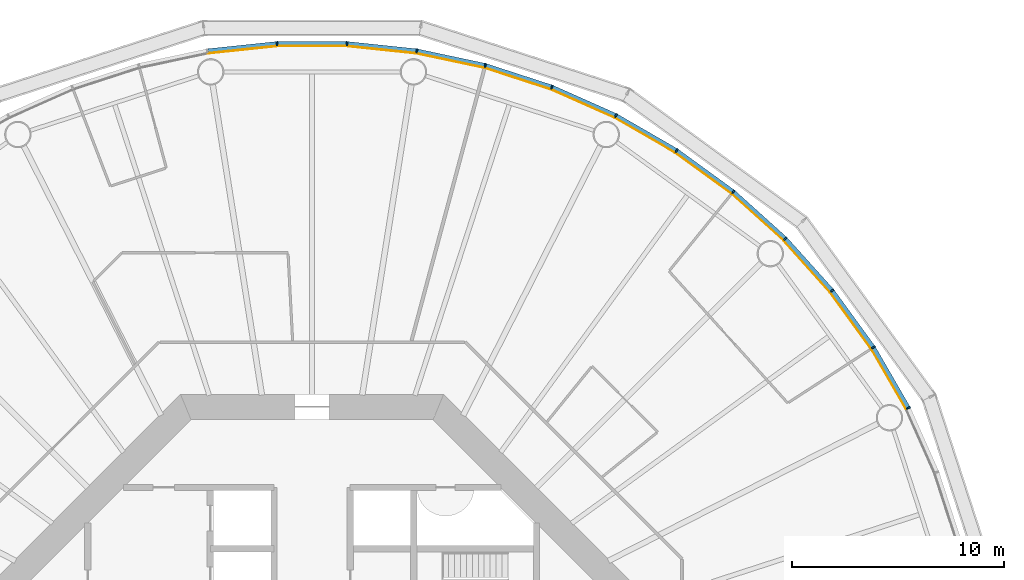
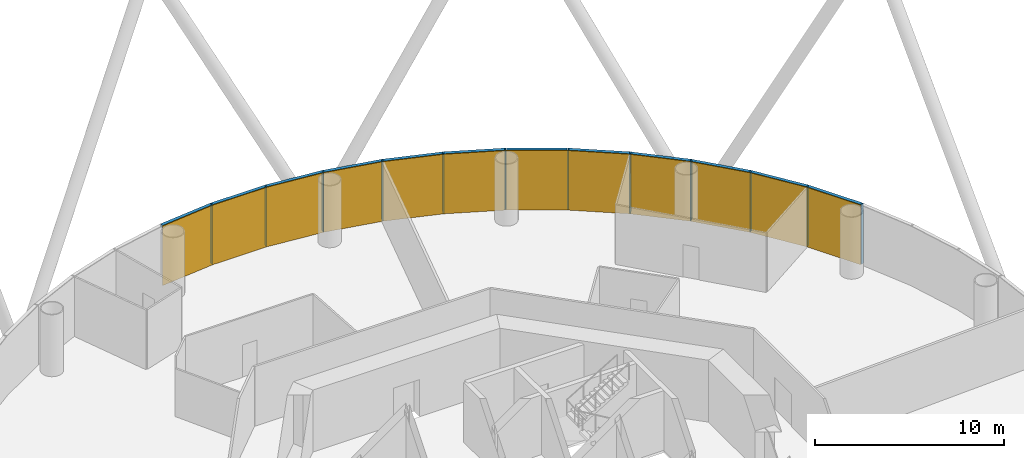
# One storey, part 12 of 13: 24 members, 4 curtain walls.
"""IFC4 building model written with IfcOpenShell, lengths in metres."""

from ifc_helpers import new_model, si_unit, direction, frame, origin, origin_2d, place, context, subcontext, project, spatial, polyline, rectangle, outline, extrude, material, layer, layer_set, material_profile, profile_set, type_object, element, aggregate, save


model = new_model("IFC4")

# Units and contexts
model_context = context("Model", 3, precision=1e-05, world=origin(), true_north=direction((0.0, 1.0)))
body_context = subcontext(model_context, "Body", "Model", "MODEL_VIEW")
ifc_project = project(units=[si_unit("LENGTHUNIT", "METRE"), si_unit("AREAUNIT", "SQUARE_METRE"), si_unit("VOLUMEUNIT", "CUBIC_METRE"), si_unit("PLANEANGLEUNIT", "RADIAN"), si_unit("MASSUNIT", "GRAM", prefix="KILO")], contexts=[model_context])

# Member
ifc_material_1 = material(Name="Anodised aluminium", Category="aluminium")
ifc_material_profile_1 = material_profile(ifc_material_1, rectangle(XDim=0.070068359375, YDim=0.199951171875, at=origin_2d()), Name="Mullion 70 x 200 mm anodised aluminium")
ifc_profile_set_1 = profile_set([ifc_material_profile_1], Name="Anodised aluminium")
member_type_1 = type_object("IfcMemberType", Name="Mullion 70 x 200 mm anodised aluminium", PredefinedType="MULLION", material=ifc_profile_set_1)
site_placement = place(None, origin())
building_placement = place(site_placement, origin())
storey_placement = place(building_placement, frame((0.0, 0.0, 96.0)))
member_1_placement = place(storey_placement, frame((118.15576171875, 94.34619140625, 0.0), z_axis=(0.0, 0.0, 1.0), x_axis=(-0.45399049974, 0.891006524188, 0.0)))
member_1 = element("IfcMember", 1, at=member_1_placement, type_object=member_type_1, Name="MULLION L21-03", PredefinedType="MULLION", context=body_context, shape_type="SweptSolid", body=[
    extrude(rectangle(XDim=0.070068359375, YDim=0.199951171875, at=origin_2d()), origin(), (0.0, 0.0, 1.0), 3.85009765625),
])

member_2_placement = place(storey_placement, frame((116.501953125, 97.210693359375, 0.0), z_axis=(0.0, 0.0, 1.0), x_axis=(-0.544639035015, 0.838670567945, 0.0)))
member_2 = element("IfcMember", 2, at=member_2_placement, type_object=member_type_1, Name="MULLION L21-04", PredefinedType="MULLION", context=body_context, shape_type="SweptSolid", body=[
    extrude(rectangle(XDim=0.070068359375, YDim=0.199951171875, at=origin_2d()), origin(), (0.0, 0.0, 1.0), 3.85009765625),
])

member_3_placement = place(storey_placement, frame((114.557861328125, 99.886474609375, 0.0), z_axis=(0.0, 0.0, 1.0), x_axis=(-0.62932039105, 0.777145961457, 0.0)))
member_3 = element("IfcMember", 3, at=member_3_placement, type_object=member_type_1, Name="MULLION L21-05", PredefinedType="MULLION", context=body_context, shape_type="SweptSolid", body=[
    extrude(rectangle(XDim=0.070068359375, YDim=0.199951171875, at=origin_2d()), origin(), (0.0, 0.0, 1.0), 3.85009765625),
])

member_4_placement = place(storey_placement, frame((112.344482421875, 102.344482421875, 0.0), z_axis=(0.0, 0.0, 1.0), x_axis=(-0.707106781187, 0.707106781187, 0.0)))
member_4 = element("IfcMember", 4, at=member_4_placement, type_object=member_type_1, Name="MULLION L21-06", PredefinedType="MULLION", context=body_context, shape_type="SweptSolid", body=[
    extrude(rectangle(XDim=0.070068359375, YDim=0.199951171875, at=origin_2d()), origin(), (0.0, 0.0, 1.0), 3.85009765625),
])

member_5_placement = place(storey_placement, frame((109.886474609375, 104.557861328125, 0.0), z_axis=(0.0, 0.0, 1.0), x_axis=(-0.777145961457, 0.62932039105, 0.0)))
member_5 = element("IfcMember", 5, at=member_5_placement, type_object=member_type_1, Name="MULLION L21-07", PredefinedType="MULLION", context=body_context, shape_type="SweptSolid", body=[
    extrude(rectangle(XDim=0.070068359375, YDim=0.199951171875, at=origin_2d()), origin(), (0.0, 0.0, 1.0), 3.85009765625),
])

member_6_placement = place(storey_placement, frame((107.210693359375, 106.501953125, 0.0), z_axis=(0.0, 0.0, 1.0), x_axis=(-0.838670567945, 0.544639035015, 0.0)))
member_6 = element("IfcMember", 6, at=member_6_placement, type_object=member_type_1, Name="MULLION L21-08", PredefinedType="MULLION", context=body_context, shape_type="SweptSolid", body=[
    extrude(rectangle(XDim=0.070068359375, YDim=0.199951171875, at=origin_2d()), origin(), (0.0, 0.0, 1.0), 3.85009765625),
])

member_7_placement = place(storey_placement, frame((104.34619140625, 108.15576171875, 0.0), z_axis=(0.0, 0.0, 1.0), x_axis=(-0.891006524188, 0.45399049974, 0.0)))
member_7 = element("IfcMember", 7, at=member_7_placement, type_object=member_type_1, Name="MULLION L21-09", PredefinedType="MULLION", context=body_context, shape_type="SweptSolid", body=[
    extrude(rectangle(XDim=0.070068359375, YDim=0.199951171875, at=origin_2d()), origin(), (0.0, 0.0, 1.0), 3.85009765625),
])

member_8_placement = place(storey_placement, frame((101.324462890625, 109.501220703125, 0.0), z_axis=(0.0, 0.0, 1.0), x_axis=(-0.933580426497, 0.358367949545, 0.0)))
member_8 = element("IfcMember", 8, at=member_8_placement, type_object=member_type_1, Name="MULLION L21-10", PredefinedType="MULLION", context=body_context, shape_type="SweptSolid", body=[
    extrude(rectangle(XDim=0.070068359375, YDim=0.199951171875, at=origin_2d()), origin(), (0.0, 0.0, 1.0), 3.85009765625),
])

member_9_placement = place(storey_placement, frame((98.1787109375, 110.523193359375, 0.0), z_axis=(0.0, 0.0, 1.0), x_axis=(-0.965925826289, 0.258819045103, 0.0)))
member_9 = element("IfcMember", 9, at=member_9_placement, type_object=member_type_1, Name="MULLION L21-11", PredefinedType="MULLION", context=body_context, shape_type="SweptSolid", body=[
    extrude(rectangle(XDim=0.070068359375, YDim=0.199951171875, at=origin_2d()), origin(), (0.0, 0.0, 1.0), 3.85009765625),
])

member_10_placement = place(storey_placement, frame((94.943359375, 111.2109375, 0.0), z_axis=(0.0, 0.0, 1.0), x_axis=(-0.987688340595, 0.15643446504, 0.0)))
member_10 = element("IfcMember", 10, at=member_10_placement, type_object=member_type_1, Name="MULLION L21-12", PredefinedType="MULLION", context=body_context, shape_type="SweptSolid", body=[
    extrude(rectangle(XDim=0.070068359375, YDim=0.199951171875, at=origin_2d()), origin(), (0.0, 0.0, 1.0), 3.85009765625),
])

member_11_placement = place(storey_placement, frame((91.65380859375, 111.556640625, 0.0), z_axis=(0.0, 0.0, 1.0), x_axis=(-0.998629534755, 0.052335956243, 0.0)))
member_11 = element("IfcMember", 11, at=member_11_placement, type_object=member_type_1, Name="MULLION L21-13", PredefinedType="MULLION", context=body_context, shape_type="SweptSolid", body=[
    extrude(rectangle(XDim=0.070068359375, YDim=0.199951171875, at=origin_2d()), origin(), (0.0, 0.0, 1.0), 3.85009765625),
])

member_12_placement = place(storey_placement, frame((88.34619140625, 111.556640625, 0.0), z_axis=(0.0, 0.0, 1.0), x_axis=(-0.998629534755, -0.052335956243, 0.0)))
member_12 = element("IfcMember", 12, at=member_12_placement, type_object=member_type_1, Name="MULLION L21-14", PredefinedType="MULLION", context=body_context, shape_type="SweptSolid", body=[
    extrude(rectangle(XDim=0.070068359375, YDim=0.199951171875, at=origin_2d()), origin(), (0.0, 0.0, 1.0), 3.85009765625),
])

ifc_material_2 = material(Name="Anodised aluminium", Category="aluminium")
ifc_material_profile_2 = material_profile(ifc_material_2, rectangle(XDim=0.199951171875, YDim=0.18994140625, at=origin_2d()), Name="Transom 190 x 200 mm anodised aluminium")
ifc_profile_set_2 = profile_set([ifc_material_profile_2], Name="Anodised aluminium")
member_type_2 = type_object("IfcMemberType", Name="Transom 190 x 200 mm anodised aluminium", PredefinedType="USERDEFINED", material=ifc_profile_set_2)
member_13_placement = place(storey_placement, frame((118.1357421875, 94.381103515625, 3.7548828125), z_axis=(-0.500004055213, 0.866023062494, 0.0), x_axis=(-0.866023062494, -0.500004055213, 0.0)))
member_13 = element("IfcMember", 13, at=member_13_placement, type_object=member_type_2, Name="TRANSOM L21-03", ObjectType="TRANSOM", PredefinedType="USERDEFINED", context=body_context, shape_type="SweptSolid", body=[
    extrude(rectangle(XDim=0.199951171875, YDim=0.18994140625, at=origin_2d()), origin(), (0.0, 0.0, 1.0), 3.22705078125),
])

member_14_placement = place(storey_placement, frame((116.478515625, 97.2431640625, 3.7548828125), z_axis=(-0.587802790201, 0.809004252048, 0.0), x_axis=(-0.809004252048, -0.587802790201, 0.0)))
member_14 = element("IfcMember", 14, at=member_14_placement, type_object=member_type_2, Name="TRANSOM L21-04", ObjectType="TRANSOM", PredefinedType="USERDEFINED", context=body_context, shape_type="SweptSolid", body=[
    extrude(rectangle(XDim=0.199951171875, YDim=0.18994140625, at=origin_2d()), origin(), (0.0, 0.0, 1.0), 3.227294921875),
])

member_15_placement = place(storey_placement, frame((114.531005859375, 99.91650390625, 3.7548828125), z_axis=(-0.669144438484, 0.743132370743, 0.0), x_axis=(-0.743132370743, -0.669144438484, 0.0)))
member_15 = element("IfcMember", 15, at=member_15_placement, type_object=member_type_2, Name="TRANSOM L21-05", ObjectType="TRANSOM", PredefinedType="USERDEFINED", context=body_context, shape_type="SweptSolid", body=[
    extrude(rectangle(XDim=0.199951171875, YDim=0.18994140625, at=origin_2d()), origin(), (0.0, 0.0, 1.0), 3.22705078125),
])

member_16_placement = place(storey_placement, frame((112.314697265625, 102.37158203125, 3.7548828125), z_axis=(-0.743132370743, 0.669144438484, 0.0), x_axis=(-0.669144438484, -0.743132370743, 0.0)))
member_16 = element("IfcMember", 16, at=member_16_placement, type_object=member_type_2, Name="TRANSOM L21-06", ObjectType="TRANSOM", PredefinedType="USERDEFINED", context=body_context, shape_type="SweptSolid", body=[
    extrude(rectangle(XDim=0.199951171875, YDim=0.18994140625, at=origin_2d()), origin(), (0.0, 0.0, 1.0), 3.22705078125),
])

member_17_placement = place(storey_placement, frame((109.85400390625, 104.58154296875, 3.7548828125), z_axis=(-0.809004252048, 0.587802790201, 0.0), x_axis=(-0.587802790201, -0.809004252048, 0.0)))
member_17 = element("IfcMember", 17, at=member_17_placement, type_object=member_type_2, Name="TRANSOM L21-07", ObjectType="TRANSOM", PredefinedType="USERDEFINED", context=body_context, shape_type="SweptSolid", body=[
    extrude(rectangle(XDim=0.199951171875, YDim=0.18994140625, at=origin_2d()), origin(), (0.0, 0.0, 1.0), 3.227294921875),
])

member_18_placement = place(storey_placement, frame((107.17578125, 106.522216796875, 3.7548828125), z_axis=(-0.866023062494, 0.500004055213, 0.0), x_axis=(-0.500004055213, -0.866023062494, 0.0)))
member_18 = element("IfcMember", 18, at=member_18_placement, type_object=member_type_2, Name="TRANSOM L21-08", ObjectType="TRANSOM", PredefinedType="USERDEFINED", context=body_context, shape_type="SweptSolid", body=[
    extrude(rectangle(XDim=0.199951171875, YDim=0.18994140625, at=origin_2d()), origin(), (0.0, 0.0, 1.0), 3.22705078125),
])

member_19_placement = place(storey_placement, frame((104.309326171875, 108.17236328125, 3.7548828125), z_axis=(-0.913549291349, 0.406728032322, 0.0), x_axis=(-0.406728032322, -0.913549291349, 0.0)))
member_19 = element("IfcMember", 19, at=member_19_placement, type_object=member_type_2, Name="TRANSOM L21-09", ObjectType="TRANSOM", PredefinedType="USERDEFINED", context=body_context, shape_type="SweptSolid", body=[
    extrude(rectangle(XDim=0.199951171875, YDim=0.18994140625, at=origin_2d()), origin(), (0.0, 0.0, 1.0), 3.22705078125),
])

member_20_placement = place(storey_placement, frame((101.2861328125, 109.513671875, 3.7548828125), z_axis=(-0.951046855117, 0.309046726844, 0.0), x_axis=(-0.309046726844, -0.951046855117, 0.0)))
member_20 = element("IfcMember", 20, at=member_20_placement, type_object=member_type_2, Name="TRANSOM L21-10", ObjectType="TRANSOM", PredefinedType="USERDEFINED", context=body_context, shape_type="SweptSolid", body=[
    extrude(rectangle(XDim=0.199951171875, YDim=0.18994140625, at=origin_2d()), origin(), (0.0, 0.0, 1.0), 3.22705078125),
])

member_21_placement = place(storey_placement, frame((98.139404296875, 110.53173828125, 3.7548828125), z_axis=(-0.978153082647, 0.207885898771, 0.0), x_axis=(-0.207885898771, -0.978153082647, 0.0)))
member_21 = element("IfcMember", 21, at=member_21_placement, type_object=member_type_2, Name="TRANSOM L21-11", ObjectType="TRANSOM", PredefinedType="USERDEFINED", context=body_context, shape_type="SweptSolid", body=[
    extrude(rectangle(XDim=0.199951171875, YDim=0.18994140625, at=origin_2d()), origin(), (0.0, 0.0, 1.0), 3.227294921875),
])

member_22_placement = place(storey_placement, frame((94.9033203125, 111.21533203125, 3.7548828125), z_axis=(-0.994519537956, 0.104550890115, 0.0), x_axis=(-0.104550890115, -0.994519537956, 0.0)))
member_22 = element("IfcMember", 22, at=member_22_placement, type_object=member_type_2, Name="TRANSOM L21-12", ObjectType="TRANSOM", PredefinedType="USERDEFINED", context=body_context, shape_type="SweptSolid", body=[
    extrude(rectangle(XDim=0.199951171875, YDim=0.18994140625, at=origin_2d()), origin(), (0.0, 0.0, 1.0), 3.22705078125),
])

member_23_placement = place(storey_placement, frame((91.613525390625, 111.556884765625, 3.7548828125), z_axis=(-1.0, 0.0, 0.0), x_axis=(0.0, -1.0, 0.0)))
member_23 = element("IfcMember", 23, at=member_23_placement, type_object=member_type_2, Name="TRANSOM L21-13", ObjectType="TRANSOM", PredefinedType="USERDEFINED", context=body_context, shape_type="SweptSolid", body=[
    extrude(rectangle(XDim=0.199951171875, YDim=0.18994140625, at=origin_2d()), origin(), (0.0, 0.0, 1.0), 3.22705078125),
])

member_24_placement = place(storey_placement, frame((88.30615234375, 111.552734375, 3.7548828125), z_axis=(-0.994519537956, -0.104550890115, 0.0), x_axis=(0.104550890115, -0.994519537956, 0.0)))
member_24 = element("IfcMember", 24, at=member_24_placement, type_object=member_type_2, Name="TRANSOM L21-14", ObjectType="TRANSOM", PredefinedType="USERDEFINED", context=body_context, shape_type="SweptSolid", body=[
    extrude(rectangle(XDim=0.199951171875, YDim=0.18994140625, at=origin_2d()), origin(), (0.0, 0.0, 1.0), 3.22705078125),
])

# Site, building, storey
site = spatial("IfcSite", under=ifc_project, at=site_placement, CompositionType="ELEMENT")
building = spatial("IfcBuilding", under=site, at=building_placement, Name="Entoto Ring Tower", CompositionType="ELEMENT")
storey = spatial("IfcBuildingStorey", under=building, at=storey_placement, Name="L21", CompositionType="ELEMENT", Elevation=96.0)

# Curtain wall
ifc_material_3 = material(Name="Clear low-iron glass", Category="glass")
ifc_layer = layer(ifc_material_3, 0.035888671875)
ifc_layer_set = layer_set([ifc_layer], Name="Clear low-iron glass")
curtain_wall_type = type_object("IfcCurtainWallType", Name="Curtain wall system CW2 glazing 36 mm", PredefinedType="NOTDEFINED", material=ifc_layer_set)
curtain_wall_1_placement = place(storey_placement, origin())
curtain_wall_1 = element("IfcCurtainWall", 25, at=curtain_wall_1_placement, inside=storey, type_object=curtain_wall_type, Name="CW2 L21-02", PredefinedType="NOTDEFINED", context=body_context, shape_type="SweptSolid", body=[
    extrude(outline(polyline([(118.066650390625, 94.30078125), (116.418212890625, 97.15625), (114.47998046875, 99.823486328125), (112.27392578125, 102.27392578125), (112.248291015625, 102.248291015625), (114.4521484375, 99.801025390625), (116.387939453125, 97.136474609375), (118.03466796875, 94.284423828125), (118.066650390625, 94.30078125)])), origin(), (0.0, 0.0, 1.0), 3.85009765625),
])

aggregate(curtain_wall_1, [member_1, member_2, member_3, member_13, member_14, member_15])

curtain_wall_2_placement = place(storey_placement, origin())
curtain_wall_2 = element("IfcCurtainWall", 26, at=curtain_wall_2_placement, inside=storey, type_object=curtain_wall_type, Name="CW2 L21-03", PredefinedType="NOTDEFINED", context=body_context, shape_type="SweptSolid", body=[
    extrude(outline(polyline([(112.27392578125, 102.27392578125), (109.823486328125, 104.47998046875), (107.15625, 106.418212890625), (104.30078125, 108.066650390625), (104.284423828125, 108.03466796875), (107.136474609375, 106.387939453125), (109.801025390625, 104.4521484375), (112.248291015625, 102.248291015625), (112.27392578125, 102.27392578125)])), origin(), (0.0, 0.0, 1.0), 3.85009765625),
])

aggregate(curtain_wall_2, [member_4, member_5, member_6, member_16, member_17, member_18])

curtain_wall_3_placement = place(storey_placement, origin())
curtain_wall_3 = element("IfcCurtainWall", 27, at=curtain_wall_3_placement, inside=storey, type_object=curtain_wall_type, Name="CW2 L21-04", PredefinedType="NOTDEFINED", context=body_context, shape_type="SweptSolid", body=[
    extrude(outline(polyline([(104.30078125, 108.066650390625), (101.28857421875, 109.40771484375), (98.15283203125, 110.4267578125), (94.927734375, 111.1123046875), (94.922119140625, 111.07666015625), (98.1435546875, 110.391845703125), (101.275634765625, 109.3740234375), (104.284423828125, 108.03466796875), (104.30078125, 108.066650390625)])), origin(), (0.0, 0.0, 1.0), 3.85009765625),
])

aggregate(curtain_wall_3, [member_7, member_8, member_9, member_19, member_20, member_21])

curtain_wall_4_placement = place(storey_placement, origin())
curtain_wall_4 = element("IfcCurtainWall", 28, at=curtain_wall_4_placement, inside=storey, type_object=curtain_wall_type, Name="CW2 L21-05", PredefinedType="NOTDEFINED", context=body_context, shape_type="SweptSolid", body=[
    extrude(outline(polyline([(94.927734375, 111.1123046875), (91.648681640625, 111.456787109375), (88.351318359375, 111.456787109375), (85.072265625, 111.1123046875), (85.077880859375, 111.07666015625), (88.353271484375, 111.4208984375), (91.646728515625, 111.4208984375), (94.922119140625, 111.07666015625), (94.927734375, 111.1123046875)])), origin(), (0.0, 0.0, 1.0), 3.85009765625),
])

aggregate(curtain_wall_4, [member_10, member_11, member_12, member_22, member_23, member_24])

save(model, "model.ifc")
